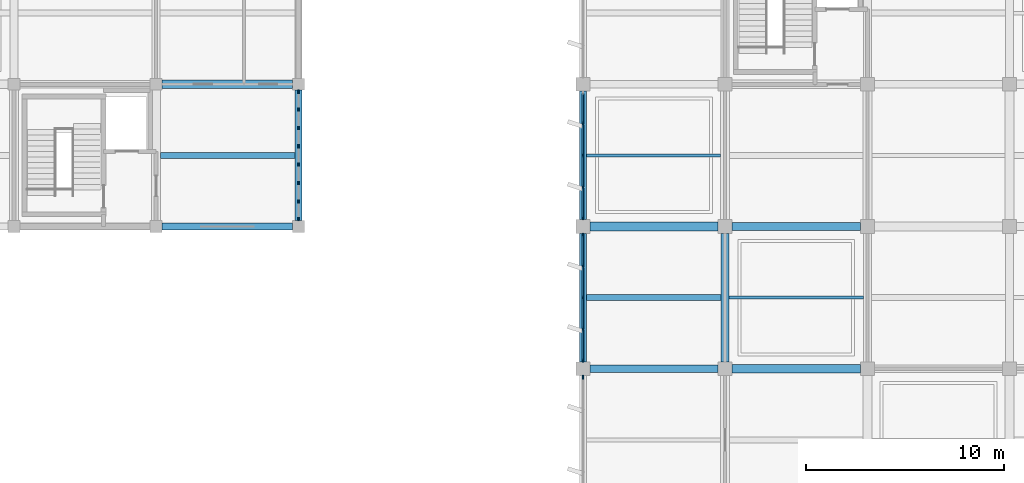
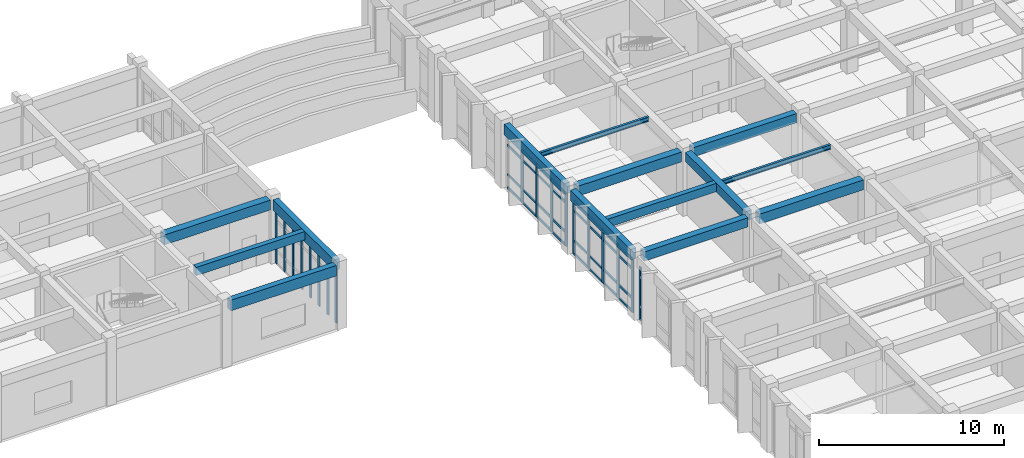
# One storey, part 23 of 81: 51 members, 12 beams, 4 elements without a shape of their own.
"""IFC4 building model written with IfcOpenShell, lengths in metres."""

from ifc_helpers import new_model, si_unit, direction, frame, origin, origin_2d, place, context, subcontext, project, spatial, rectangle, i_section, extrude, material, layer, layer_set, material_profile, profile_set, type_object, element, aggregate, save


model = new_model("IFC4")

# Units and contexts
model_context = context("Model", 3, precision=1e-05, world=origin(), true_north=direction((0.0, 1.0)))
body_context = subcontext(model_context, "Body", "Model", "MODEL_VIEW")
ifc_project = project(units=[si_unit("LENGTHUNIT", "METRE"), si_unit("AREAUNIT", "SQUARE_METRE"), si_unit("VOLUMEUNIT", "CUBIC_METRE"), si_unit("PLANEANGLEUNIT", "RADIAN"), si_unit("MASSUNIT", "GRAM", prefix="KILO")], contexts=[model_context])

# Site, building, storey
site_placement = place(None, origin())
site = spatial("IfcSite", under=ifc_project, at=site_placement, CompositionType="ELEMENT")
building_placement = place(site_placement, origin())
building = spatial("IfcBuilding", under=site, at=building_placement, Name="Kavelor Marine Aquarium", CompositionType="ELEMENT")
storey_placement = place(building_placement, frame((0.0, 0.0, 4.679931640625)))
storey = spatial("IfcBuildingStorey", under=building, at=storey_placement, Name="L01", CompositionType="ELEMENT", Elevation=4.679931640625)

# Beams
ifc_material_1 = material(Name="Concrete C40/50", Category="concrete")
ifc_material_profile_1 = material_profile(ifc_material_1, rectangle(XDim=0.449951171875, YDim=0.64990234375, at=origin_2d()), Name="RC-BM 450x650")
ifc_profile_set_1 = profile_set([ifc_material_profile_1], Name="Concrete C40/50")
beam_type_1 = type_object("IfcBeamType", Name="BM-B3", PredefinedType="BEAM", material=ifc_profile_set_1)
beam_1_placement = place(storey_placement, frame((97.10009765625, 96.39990234375, 3.875), z_axis=(1.0, 0.0, 0.0), x_axis=(0.0, 1.0, 0.0)))
element("IfcBeam", 1, at=beam_1_placement, inside=storey, type_object=beam_type_1, Name="bm:x:L01:L02:13_13", PredefinedType="BEAM", context=body_context, shape_type="SweptSolid", body=[
    extrude(rectangle(XDim=0.449951171875, YDim=0.64990234375, at=origin_2d()), origin(), (0.0, 0.0, 1.0), 6.599853515625),
])
for number, where, z_axis, x_axis, name in (
    (2, (118.75, 89.199951171875, 3.875), (1.0, 0.0, 0.0), (0.0, 1.0, 0.0), "bm:x:L01:L02:16_12"),
    (3, (125.949951171875, 82.0, 3.875), (1.0, 0.0, 0.0), (0.0, 1.0, 0.0), "bm:x:L01:L02:17_11"),
):
    element("IfcBeam", number, at=place(storey_placement, frame(where, z_axis=z_axis, x_axis=x_axis)), inside=storey, type_object=beam_type_1, Name=name, PredefinedType="BEAM", context=body_context, shape_type="SweptSolid", body=[
        extrude(rectangle(XDim=0.449951171875, YDim=0.64990234375, at=origin_2d()), origin(), (0.0, 0.0, 1.0), 6.5),
    ])
ifc_material_2 = material(Name="Concrete C40/50", Category="concrete")
ifc_material_profile_2 = material_profile(ifc_material_2, rectangle(XDim=0.39990234375, YDim=0.60009765625, at=origin_2d()), Name="RC-BM 400x600")
ifc_profile_set_2 = profile_set([ifc_material_profile_2], Name="Concrete C40/50")
beam_type_2 = type_object("IfcBeamType", Name="BM-B4", PredefinedType="BEAM", material=ifc_profile_set_2)
for number, where, z_axis, x_axis, name in (
    (4, (118.75, 82.0, 3.900146484375), (1.0, 0.0, 0.0), (0.0, 1.0, 0.0), "bm:x:L01:L02:16_11"),
    (5, (125.949951171875, 89.199951171875, 3.900146484375), (1.0, 0.0, 0.0), (0.0, 1.0, 0.0), "bm:x:L01:L02:17_12"),
    (6, (125.60009765625, 82.35009765625, 3.900146484375), (0.0, 1.0, 0.0), (-1.0, 0.0, 0.0), "bm:y:L01:L02:17_11"),
):
    element("IfcBeam", number, at=place(storey_placement, frame(where, z_axis=z_axis, x_axis=x_axis)), inside=storey, type_object=beam_type_2, Name=name, PredefinedType="BEAM", context=body_context, shape_type="SweptSolid", body=[
        extrude(rectangle(XDim=0.39990234375, YDim=0.60009765625, at=origin_2d()), origin(), (0.0, 0.0, 1.0), 6.5),
    ])
ifc_material_3 = material(Name="Concrete C40/50", Category="concrete")
ifc_material_profile_3 = material_profile(ifc_material_3, rectangle(XDim=0.300048828125, YDim=0.550048828125, at=origin_2d()), Name="RC-JS 300x550")
ifc_profile_set_3 = profile_set([ifc_material_profile_3], Name="Concrete C40/50")
beam_type_3 = type_object("IfcBeamType", Name="BM-JS2", PredefinedType="JOIST", material=ifc_profile_set_3)
beam_2_placement = place(storey_placement, frame((97.02490234375, 92.800048828125, 3.945068359375), z_axis=(1.0, 0.0, 0.0), x_axis=(0.0, 1.0, 0.0)))
element("IfcBeam", 7, at=beam_2_placement, inside=storey, type_object=beam_type_3, Name="js:L01:L02:13_12", PredefinedType="JOIST", context=body_context, shape_type="SweptSolid", body=[
    extrude(rectangle(XDim=0.300048828125, YDim=0.550048828125, at=origin_2d()), origin(), (0.0, 0.0, 1.0), 6.800048828125),
])
beam_3_placement = place(storey_placement, frame((118.574951171875, 85.60009765625, 3.945068359375), z_axis=(1.0, 0.0, 0.0), x_axis=(0.0, 1.0, 0.0)))
element("IfcBeam", 8, at=beam_3_placement, inside=storey, type_object=beam_type_3, Name="js:L01:L02:16_11", PredefinedType="JOIST", context=body_context, shape_type="SweptSolid", body=[
    extrude(rectangle(XDim=0.300048828125, YDim=0.550048828125, at=origin_2d()), origin(), (0.0, 0.0, 1.0), 6.824951171875),
])
ifc_material_4 = material(Name="Concrete C40/50", Category="concrete")
ifc_material_profile_4 = material_profile(ifc_material_4, rectangle(XDim=0.35009765625, YDim=0.699951171875, at=origin_2d()), Name="RC-SP 350x700")
ifc_profile_set_4 = profile_set([ifc_material_profile_4], Name="Concrete C40/50")
beam_type_4 = type_object("IfcBeamType", Name="BM-SP1", PredefinedType="SPANDREL", material=ifc_profile_set_4)
beam_4_placement = place(storey_placement, frame((97.10009765625, 89.199951171875, 3.8701171875), z_axis=(1.0, 0.0, 0.0), x_axis=(0.0, 1.0, 0.0)))
element("IfcBeam", 9, at=beam_4_placement, inside=storey, type_object=beam_type_4, Name="bm:x:L01:L02:13_12", PredefinedType="SPANDREL", context=body_context, shape_type="SweptSolid", body=[
    extrude(rectangle(XDim=0.35009765625, YDim=0.699951171875, at=origin_2d()), origin(), (0.0, 0.0, 1.0), 6.599853515625),
])
beam_5_placement = place(storey_placement, frame((104.0, 89.5, 3.8701171875), z_axis=(0.0, 1.0, 0.0), x_axis=(-1.0, 0.0, 0.0)))
element("IfcBeam", 10, at=beam_5_placement, inside=storey, type_object=beam_type_4, Name="bm:y:L01:L02:14_12", PredefinedType="SPANDREL", context=body_context, shape_type="SweptSolid", body=[
    extrude(rectangle(XDim=0.35009765625, YDim=0.699951171875, at=origin_2d()), origin(), (0.0, 0.0, 1.0), 6.60009765625),
])
for number, where, z_axis, x_axis, name in (
    (11, (118.39990234375, 82.35009765625, 3.8701171875), (0.0, 1.0, 0.0), (-1.0, 0.0, 0.0), "bm:y:L01:L02:16_11"),
    (12, (118.39990234375, 89.550048828125, 3.85009765625), (0.0, 1.0, 0.0), (-1.0, 0.0, 0.0), "bm:y:L01:L02:16_12"),
):
    element("IfcBeam", number, at=place(storey_placement, frame(where, z_axis=z_axis, x_axis=x_axis)), inside=storey, type_object=beam_type_4, Name=name, PredefinedType="SPANDREL", context=body_context, shape_type="SweptSolid", body=[
        extrude(rectangle(XDim=0.35009765625, YDim=0.699951171875, at=origin_2d()), origin(), (0.0, 0.0, 1.0), 6.5),
    ])

# Curtain wall, members
ifc_material_5 = material(Name="Thermally Broken Aluminium and Low-E Glass", Category="aluminium")
ifc_layer_1 = layer(ifc_material_5, 0.243896484375)
ifc_layer_set_1 = layer_set([ifc_layer_1], Name="CW-SYS13")
curtain_wall_type_1 = type_object("IfcCurtainWallType", Name="CW-SYS13", PredefinedType="USERDEFINED", material=ifc_layer_set_1)
curtain_wall_1_placement = place(storey_placement, origin())
curtain_wall_1 = element("IfcCurtainWall", 13, at=curtain_wall_1_placement, inside=storey, type_object=curtain_wall_type_1, Name="cw:y:L01:16_12", ObjectType="Curtain Wall", PredefinedType="USERDEFINED")
ifc_material_6 = material(Name="Anodised Aluminium Alloy 6063-T6", Category="aluminium")
ifc_material_profile_5 = material_profile(ifc_material_6, rectangle(XDim=0.074951171875, YDim=0.179931640625, at=origin_2d()), Name="CW-MUL 75x180")
ifc_profile_set_5 = profile_set([ifc_material_profile_5], Name="Anodised Aluminium Alloy 6063-T6")
member_type_1 = type_object("IfcMemberType", Name="CWM-1", PredefinedType="MULLION", material=ifc_profile_set_5)
member_1_placement = place(storey_placement, frame((118.39990234375, 94.402587890625, 0.0), z_axis=(0.0, 0.0, 1.0), x_axis=(1.0, 0.0, 0.0)))
member_1 = element("IfcMember", 14, at=member_1_placement, type_object=member_type_1, Name="CW13 mullion 2", PredefinedType="MULLION", context=body_context, shape_type="SweptSolid", body=[
    extrude(rectangle(XDim=0.074951171875, YDim=0.179931640625, at=origin_2d()), origin(), (0.0, 0.0, 1.0), 3.489990234375),
])
member_2_placement = place(storey_placement, frame((118.39990234375, 92.800048828125, 0.0), z_axis=(0.0, 0.0, 1.0), x_axis=(1.0, 0.0, 0.0)))
member_2 = element("IfcMember", 15, at=member_2_placement, type_object=member_type_1, Name="CW13 mullion 3", PredefinedType="MULLION", context=body_context, shape_type="SweptSolid", body=[
    extrude(rectangle(XDim=0.074951171875, YDim=0.179931640625, at=origin_2d()), origin(), (0.0, 0.0, 1.0), 3.489990234375),
])
member_3_placement = place(storey_placement, frame((118.39990234375, 91.197509765625, 0.0), z_axis=(0.0, 0.0, 1.0), x_axis=(1.0, 0.0, 0.0)))
member_3 = element("IfcMember", 16, at=member_3_placement, type_object=member_type_1, Name="CW13 mullion 4", PredefinedType="MULLION", context=body_context, shape_type="SweptSolid", body=[
    extrude(rectangle(XDim=0.074951171875, YDim=0.179931640625, at=origin_2d()), origin(), (0.0, 0.0, 1.0), 3.489990234375),
])
member_4_placement = place(storey_placement, frame((118.39990234375, 89.632568359375, 0.0), z_axis=(0.0, 0.0, 1.0), x_axis=(1.0, 0.0, 0.0)))
member_4 = element("IfcMember", 17, at=member_4_placement, type_object=member_type_1, Name="CW13 mullion 5", PredefinedType="MULLION", context=body_context, shape_type="SweptSolid", body=[
    extrude(rectangle(XDim=0.074951171875, YDim=0.179931640625, at=origin_2d()), origin(), (0.0, 0.0, 1.0), 3.489990234375),
])

ifc_material_7 = material(Name="Thermally Broken Aluminium and Low-E Glass", Category="aluminium")
ifc_layer_2 = layer(ifc_material_7, 0.156005859375)
ifc_layer_set_2 = layer_set([ifc_layer_2], Name="CW-SYS2")
curtain_wall_type_2 = type_object("IfcCurtainWallType", Name="CW-SYS2", PredefinedType="USERDEFINED", material=ifc_layer_set_2)
curtain_wall_2_placement = place(storey_placement, origin())
curtain_wall_2 = element("IfcCurtainWall", 18, at=curtain_wall_2_placement, inside=storey, type_object=curtain_wall_type_2, Name="cw:y:L01:14_12", ObjectType="Curtain Wall", PredefinedType="USERDEFINED")
ifc_material_8 = material(Name="Anodised Aluminium Alloy 6063-T6", Category="aluminium")
ifc_material_profile_6 = material_profile(ifc_material_8, rectangle(XDim=0.080078125, YDim=0.18505859375, at=origin_2d()), Name="CW-MUL 80x185")
ifc_profile_set_6 = profile_set([ifc_material_profile_6], Name="Anodised Aluminium Alloy 6063-T6")
member_type_2 = type_object("IfcMemberType", Name="CWM-2", PredefinedType="MULLION", material=ifc_profile_set_6)
member_5_placement = place(storey_placement, frame((104.0, 89.577392578125, 0.0), z_axis=(0.0, 0.0, 1.0), x_axis=(-1.0, 0.0, 0.0)))
member_5 = element("IfcMember", 19, at=member_5_placement, type_object=member_type_2, Name="CW02 mullion 1", PredefinedType="MULLION", context=body_context, shape_type="SweptSolid", body=[
    extrude(rectangle(XDim=0.080078125, YDim=0.18505859375, at=origin_2d()), origin(), (0.0, 0.0, 1.0), 3.510009765625),
])
member_6_placement = place(storey_placement, frame((104.0, 90.47509765625, 0.0), z_axis=(0.0, 0.0, 1.0), x_axis=(-1.0, 0.0, 0.0)))
member_6 = element("IfcMember", 20, at=member_6_placement, type_object=member_type_2, Name="CW02 mullion 2", PredefinedType="MULLION", context=body_context, shape_type="SweptSolid", body=[
    extrude(rectangle(XDim=0.080078125, YDim=0.18505859375, at=origin_2d()), origin(), (0.0, 0.0, 1.0), 3.510009765625),
])
member_7_placement = place(storey_placement, frame((104.0, 91.405029296875, 0.0), z_axis=(0.0, 0.0, 1.0), x_axis=(-1.0, 0.0, 0.0)))
member_7 = element("IfcMember", 21, at=member_7_placement, type_object=member_type_2, Name="CW02 mullion 3", PredefinedType="MULLION", context=body_context, shape_type="SweptSolid", body=[
    extrude(rectangle(XDim=0.080078125, YDim=0.18505859375, at=origin_2d()), origin(), (0.0, 0.0, 1.0), 3.510009765625),
])
member_8_placement = place(storey_placement, frame((104.0, 92.3349609375, 0.0), z_axis=(0.0, 0.0, 1.0), x_axis=(-1.0, 0.0, 0.0)))
member_8 = element("IfcMember", 22, at=member_8_placement, type_object=member_type_2, Name="CW02 mullion 4", PredefinedType="MULLION", context=body_context, shape_type="SweptSolid", body=[
    extrude(rectangle(XDim=0.080078125, YDim=0.18505859375, at=origin_2d()), origin(), (0.0, 0.0, 1.0), 3.510009765625),
])
member_9_placement = place(storey_placement, frame((104.0, 93.264892578125, 0.0), z_axis=(0.0, 0.0, 1.0), x_axis=(-1.0, 0.0, 0.0)))
member_9 = element("IfcMember", 23, at=member_9_placement, type_object=member_type_2, Name="CW02 mullion 5", PredefinedType="MULLION", context=body_context, shape_type="SweptSolid", body=[
    extrude(rectangle(XDim=0.080078125, YDim=0.18505859375, at=origin_2d()), origin(), (0.0, 0.0, 1.0), 3.510009765625),
])
member_10_placement = place(storey_placement, frame((104.0, 94.195068359375, 0.0), z_axis=(0.0, 0.0, 1.0), x_axis=(-1.0, 0.0, 0.0)))
member_10 = element("IfcMember", 24, at=member_10_placement, type_object=member_type_2, Name="CW02 mullion 6", PredefinedType="MULLION", context=body_context, shape_type="SweptSolid", body=[
    extrude(rectangle(XDim=0.080078125, YDim=0.18505859375, at=origin_2d()), origin(), (0.0, 0.0, 1.0), 3.510009765625),
])
member_11_placement = place(storey_placement, frame((104.0, 95.125, 0.0), z_axis=(0.0, 0.0, 1.0), x_axis=(-1.0, 0.0, 0.0)))
member_11 = element("IfcMember", 25, at=member_11_placement, type_object=member_type_2, Name="CW02 mullion 7", PredefinedType="MULLION", context=body_context, shape_type="SweptSolid", body=[
    extrude(rectangle(XDim=0.080078125, YDim=0.18505859375, at=origin_2d()), origin(), (0.0, 0.0, 1.0), 3.510009765625),
])
member_12_placement = place(storey_placement, frame((104.0, 96.0224609375, 0.0), z_axis=(0.0, 0.0, 1.0), x_axis=(-1.0, 0.0, 0.0)))
member_12 = element("IfcMember", 26, at=member_12_placement, type_object=member_type_2, Name="CW02 mullion 8", PredefinedType="MULLION", context=body_context, shape_type="SweptSolid", body=[
    extrude(rectangle(XDim=0.080078125, YDim=0.18505859375, at=origin_2d()), origin(), (0.0, 0.0, 1.0), 3.510009765625),
])
aggregate(curtain_wall_2, [member_5, member_6, member_7, member_8, member_9, member_10, member_11, member_12])

# Curtain wall, member
ifc_material_9 = material(Name="Thermally Broken Aluminium and Low-E Glass", Category="aluminium")
ifc_layer_3 = layer(ifc_material_9, 0.22802734375)
ifc_layer_set_3 = layer_set([ifc_layer_3], Name="CW-SYS11")
curtain_wall_type_3 = type_object("IfcCurtainWallType", Name="CW-SYS11", PredefinedType="USERDEFINED", material=ifc_layer_set_3)
curtain_wall_3_placement = place(storey_placement, origin())
curtain_wall_3 = element("IfcCurtainWall", 27, at=curtain_wall_3_placement, inside=storey, type_object=curtain_wall_type_3, Name="cw:y:L01:16_10", ObjectType="Curtain Wall", PredefinedType="USERDEFINED")
member_13_placement = place(storey_placement, frame((118.39990234375, 81.572509765625, 0.0), z_axis=(0.0, 0.0, 1.0), x_axis=(1.0, 0.0, 0.0)))
member_13 = element("IfcMember", 28, at=member_13_placement, type_object=member_type_2, Name="CW11 mullion 1", PredefinedType="MULLION", context=body_context, shape_type="SweptSolid", body=[
    extrude(rectangle(XDim=0.080078125, YDim=0.18505859375, at=origin_2d()), origin(), (0.0, 0.0, 1.0), 3.489990234375),
])
aggregate(curtain_wall_3, [member_13])

# Curtain wall, members
ifc_material_10 = material(Name="Thermally Broken Aluminium and Low-E Glass", Category="aluminium")
ifc_layer_4 = layer(ifc_material_10, 0.236083984375)
ifc_layer_set_4 = layer_set([ifc_layer_4], Name="CW-SYS12")
curtain_wall_type_4 = type_object("IfcCurtainWallType", Name="CW-SYS12", PredefinedType="USERDEFINED", material=ifc_layer_set_4)
curtain_wall_4_placement = place(storey_placement, origin())
curtain_wall_4 = element("IfcCurtainWall", 29, at=curtain_wall_4_placement, inside=storey, type_object=curtain_wall_type_4, Name="cw:y:L01:16_11", ObjectType="Curtain Wall", PredefinedType="USERDEFINED")
ifc_material_11 = material(Name="Anodised Aluminium Alloy 6063-T6", Category="aluminium")
ifc_material_profile_7 = material_profile(ifc_material_11, rectangle(XDim=0.0849609375, YDim=0.18994140625, at=origin_2d()), Name="CW-MUL 85x190")
ifc_profile_set_7 = profile_set([ifc_material_profile_7], Name="Anodised Aluminium Alloy 6063-T6")
member_type_3 = type_object("IfcMemberType", Name="CWM-3", PredefinedType="MULLION", material=ifc_profile_set_7)
member_14_placement = place(storey_placement, frame((118.39990234375, 88.77490234375, 0.0), z_axis=(0.0, 0.0, 1.0), x_axis=(1.0, 0.0, 0.0)))
member_14 = element("IfcMember", 30, at=member_14_placement, type_object=member_type_3, Name="CW12 mullion 1", PredefinedType="MULLION", context=body_context, shape_type="SweptSolid", body=[
    extrude(rectangle(XDim=0.0849609375, YDim=0.18994140625, at=origin_2d()), origin(), (0.0, 0.0, 1.0), 3.510009765625),
])
member_15_placement = place(storey_placement, frame((118.39990234375, 87.202392578125, 0.0), z_axis=(0.0, 0.0, 1.0), x_axis=(1.0, 0.0, 0.0)))
member_15 = element("IfcMember", 31, at=member_15_placement, type_object=member_type_3, Name="CW12 mullion 2", PredefinedType="MULLION", context=body_context, shape_type="SweptSolid", body=[
    extrude(rectangle(XDim=0.0849609375, YDim=0.18994140625, at=origin_2d()), origin(), (0.0, 0.0, 1.0), 3.510009765625),
])
member_16_placement = place(storey_placement, frame((118.39990234375, 85.60009765625, 0.0), z_axis=(0.0, 0.0, 1.0), x_axis=(1.0, 0.0, 0.0)))
member_16 = element("IfcMember", 32, at=member_16_placement, type_object=member_type_3, Name="CW12 mullion 3", PredefinedType="MULLION", context=body_context, shape_type="SweptSolid", body=[
    extrude(rectangle(XDim=0.0849609375, YDim=0.18994140625, at=origin_2d()), origin(), (0.0, 0.0, 1.0), 3.510009765625),
])
member_17_placement = place(storey_placement, frame((118.39990234375, 83.99755859375, 0.0), z_axis=(0.0, 0.0, 1.0), x_axis=(1.0, 0.0, 0.0)))
member_17 = element("IfcMember", 33, at=member_17_placement, type_object=member_type_3, Name="CW12 mullion 4", PredefinedType="MULLION", context=body_context, shape_type="SweptSolid", body=[
    extrude(rectangle(XDim=0.0849609375, YDim=0.18994140625, at=origin_2d()), origin(), (0.0, 0.0, 1.0), 3.510009765625),
])
member_18_placement = place(storey_placement, frame((118.39990234375, 82.425048828125, 0.0), z_axis=(0.0, 0.0, 1.0), x_axis=(1.0, 0.0, 0.0)))
member_18 = element("IfcMember", 34, at=member_18_placement, type_object=member_type_3, Name="CW12 mullion 5", PredefinedType="MULLION", context=body_context, shape_type="SweptSolid", body=[
    extrude(rectangle(XDim=0.0849609375, YDim=0.18994140625, at=origin_2d()), origin(), (0.0, 0.0, 1.0), 3.510009765625),
])
ifc_material_12 = material(Name="Anodised Aluminium Alloy 6063-T6", Category="aluminium")
ifc_material_profile_8 = material_profile(ifc_material_12, rectangle(XDim=0.074951171875, YDim=0.14990234375, at=origin_2d()), Name="CW-TRN 75x150")
ifc_profile_set_8 = profile_set([ifc_material_profile_8], Name="Anodised Aluminium Alloy 6063-T6")
member_type_4 = type_object("IfcMemberType", Name="CWT-1", PredefinedType="USERDEFINED", material=ifc_profile_set_8)
member_19_placement = place(storey_placement, frame((118.39990234375, 88.7451171875, 0.03759765625), z_axis=(0.0, -1.0, 0.0), x_axis=(1.0, 0.0, 0.0)))
member_19 = element("IfcMember", 35, at=member_19_placement, type_object=member_type_4, Name="CW12 transom 1.1", ObjectType="TRANSOM", PredefinedType="USERDEFINED", context=body_context, shape_type="SweptSolid", body=[
    extrude(rectangle(XDim=0.074951171875, YDim=0.14990234375, at=origin_2d()), origin(), (0.0, 0.0, 1.0), 1.5126953125),
])
member_20_placement = place(storey_placement, frame((118.39990234375, 88.7451171875, 0.900146484375), z_axis=(0.0, -1.0, 0.0), x_axis=(1.0, 0.0, 0.0)))
member_20 = element("IfcMember", 36, at=member_20_placement, type_object=member_type_4, Name="CW12 transom 1.2", ObjectType="TRANSOM", PredefinedType="USERDEFINED", context=body_context, shape_type="SweptSolid", body=[
    extrude(rectangle(XDim=0.074951171875, YDim=0.14990234375, at=origin_2d()), origin(), (0.0, 0.0, 1.0), 1.5126953125),
])
member_21_placement = place(storey_placement, frame((118.39990234375, 88.7451171875, 2.860107421875), z_axis=(0.0, -1.0, 0.0), x_axis=(1.0, 0.0, 0.0)))
member_21 = element("IfcMember", 37, at=member_21_placement, type_object=member_type_4, Name="CW12 transom 1.3", ObjectType="TRANSOM", PredefinedType="USERDEFINED", context=body_context, shape_type="SweptSolid", body=[
    extrude(rectangle(XDim=0.074951171875, YDim=0.14990234375, at=origin_2d()), origin(), (0.0, 0.0, 1.0), 1.5126953125),
])
member_22_placement = place(storey_placement, frame((118.39990234375, 88.7451171875, 3.47265625), z_axis=(0.0, -1.0, 0.0), x_axis=(1.0, 0.0, 0.0)))
member_22 = element("IfcMember", 38, at=member_22_placement, type_object=member_type_4, Name="CW12 transom 1.4", ObjectType="TRANSOM", PredefinedType="USERDEFINED", context=body_context, shape_type="SweptSolid", body=[
    extrude(rectangle(XDim=0.074951171875, YDim=0.14990234375, at=origin_2d()), origin(), (0.0, 0.0, 1.0), 1.5126953125),
])
member_23_placement = place(storey_placement, frame((118.39990234375, 87.172607421875, 0.03759765625), z_axis=(0.0, -1.0, 0.0), x_axis=(1.0, 0.0, 0.0)))
member_23 = element("IfcMember", 39, at=member_23_placement, type_object=member_type_4, Name="CW12 transom 2.1", ObjectType="TRANSOM", PredefinedType="USERDEFINED", context=body_context, shape_type="SweptSolid", body=[
    extrude(rectangle(XDim=0.074951171875, YDim=0.14990234375, at=origin_2d()), origin(), (0.0, 0.0, 1.0), 1.542724609375),
])
member_24_placement = place(storey_placement, frame((118.39990234375, 87.172607421875, 0.900146484375), z_axis=(0.0, -1.0, 0.0), x_axis=(1.0, 0.0, 0.0)))
member_24 = element("IfcMember", 40, at=member_24_placement, type_object=member_type_4, Name="CW12 transom 2.2", ObjectType="TRANSOM", PredefinedType="USERDEFINED", context=body_context, shape_type="SweptSolid", body=[
    extrude(rectangle(XDim=0.074951171875, YDim=0.14990234375, at=origin_2d()), origin(), (0.0, 0.0, 1.0), 1.542724609375),
])
member_25_placement = place(storey_placement, frame((118.39990234375, 87.172607421875, 2.860107421875), z_axis=(0.0, -1.0, 0.0), x_axis=(1.0, 0.0, 0.0)))
member_25 = element("IfcMember", 41, at=member_25_placement, type_object=member_type_4, Name="CW12 transom 2.3", ObjectType="TRANSOM", PredefinedType="USERDEFINED", context=body_context, shape_type="SweptSolid", body=[
    extrude(rectangle(XDim=0.074951171875, YDim=0.14990234375, at=origin_2d()), origin(), (0.0, 0.0, 1.0), 1.542724609375),
])
member_26_placement = place(storey_placement, frame((118.39990234375, 87.172607421875, 3.47265625), z_axis=(0.0, -1.0, 0.0), x_axis=(1.0, 0.0, 0.0)))
member_26 = element("IfcMember", 42, at=member_26_placement, type_object=member_type_4, Name="CW12 transom 2.4", ObjectType="TRANSOM", PredefinedType="USERDEFINED", context=body_context, shape_type="SweptSolid", body=[
    extrude(rectangle(XDim=0.074951171875, YDim=0.14990234375, at=origin_2d()), origin(), (0.0, 0.0, 1.0), 1.542724609375),
])
member_27_placement = place(storey_placement, frame((118.39990234375, 85.570068359375, 0.03759765625), z_axis=(0.0, -1.0, 0.0), x_axis=(1.0, 0.0, 0.0)))
member_27 = element("IfcMember", 43, at=member_27_placement, type_object=member_type_4, Name="CW12 transom 3.1", ObjectType="TRANSOM", PredefinedType="USERDEFINED", context=body_context, shape_type="SweptSolid", body=[
    extrude(rectangle(XDim=0.074951171875, YDim=0.14990234375, at=origin_2d()), origin(), (0.0, 0.0, 1.0), 1.54248046875),
])
member_28_placement = place(storey_placement, frame((118.39990234375, 85.570068359375, 0.900146484375), z_axis=(0.0, -1.0, 0.0), x_axis=(1.0, 0.0, 0.0)))
member_28 = element("IfcMember", 44, at=member_28_placement, type_object=member_type_4, Name="CW12 transom 3.2", ObjectType="TRANSOM", PredefinedType="USERDEFINED", context=body_context, shape_type="SweptSolid", body=[
    extrude(rectangle(XDim=0.074951171875, YDim=0.14990234375, at=origin_2d()), origin(), (0.0, 0.0, 1.0), 1.54248046875),
])
member_29_placement = place(storey_placement, frame((118.39990234375, 85.570068359375, 2.860107421875), z_axis=(0.0, -1.0, 0.0), x_axis=(1.0, 0.0, 0.0)))
member_29 = element("IfcMember", 45, at=member_29_placement, type_object=member_type_4, Name="CW12 transom 3.3", ObjectType="TRANSOM", PredefinedType="USERDEFINED", context=body_context, shape_type="SweptSolid", body=[
    extrude(rectangle(XDim=0.074951171875, YDim=0.14990234375, at=origin_2d()), origin(), (0.0, 0.0, 1.0), 1.54248046875),
])
member_30_placement = place(storey_placement, frame((118.39990234375, 85.570068359375, 3.47265625), z_axis=(0.0, -1.0, 0.0), x_axis=(1.0, 0.0, 0.0)))
member_30 = element("IfcMember", 46, at=member_30_placement, type_object=member_type_4, Name="CW12 transom 3.4", ObjectType="TRANSOM", PredefinedType="USERDEFINED", context=body_context, shape_type="SweptSolid", body=[
    extrude(rectangle(XDim=0.074951171875, YDim=0.14990234375, at=origin_2d()), origin(), (0.0, 0.0, 1.0), 1.54248046875),
])
member_31_placement = place(storey_placement, frame((118.39990234375, 83.967529296875, 0.03759765625), z_axis=(0.0, -1.0, 0.0), x_axis=(1.0, 0.0, 0.0)))
member_31 = element("IfcMember", 47, at=member_31_placement, type_object=member_type_4, Name="CW12 transom 4.1", ObjectType="TRANSOM", PredefinedType="USERDEFINED", context=body_context, shape_type="SweptSolid", body=[
    extrude(rectangle(XDim=0.074951171875, YDim=0.14990234375, at=origin_2d()), origin(), (0.0, 0.0, 1.0), 1.512451171875),
])
member_32_placement = place(storey_placement, frame((118.39990234375, 83.967529296875, 0.900146484375), z_axis=(0.0, -1.0, 0.0), x_axis=(1.0, 0.0, 0.0)))
member_32 = element("IfcMember", 48, at=member_32_placement, type_object=member_type_4, Name="CW12 transom 4.2", ObjectType="TRANSOM", PredefinedType="USERDEFINED", context=body_context, shape_type="SweptSolid", body=[
    extrude(rectangle(XDim=0.074951171875, YDim=0.14990234375, at=origin_2d()), origin(), (0.0, 0.0, 1.0), 1.512451171875),
])
member_33_placement = place(storey_placement, frame((118.39990234375, 83.967529296875, 2.860107421875), z_axis=(0.0, -1.0, 0.0), x_axis=(1.0, 0.0, 0.0)))
member_33 = element("IfcMember", 49, at=member_33_placement, type_object=member_type_4, Name="CW12 transom 4.3", ObjectType="TRANSOM", PredefinedType="USERDEFINED", context=body_context, shape_type="SweptSolid", body=[
    extrude(rectangle(XDim=0.074951171875, YDim=0.14990234375, at=origin_2d()), origin(), (0.0, 0.0, 1.0), 1.512451171875),
])
member_34_placement = place(storey_placement, frame((118.39990234375, 83.967529296875, 3.47265625), z_axis=(0.0, -1.0, 0.0), x_axis=(1.0, 0.0, 0.0)))
member_34 = element("IfcMember", 50, at=member_34_placement, type_object=member_type_4, Name="CW12 transom 4.4", ObjectType="TRANSOM", PredefinedType="USERDEFINED", context=body_context, shape_type="SweptSolid", body=[
    extrude(rectangle(XDim=0.074951171875, YDim=0.14990234375, at=origin_2d()), origin(), (0.0, 0.0, 1.0), 1.512451171875),
])
aggregate(curtain_wall_4, [member_14, member_15, member_16, member_17, member_18, member_19, member_20, member_21, member_22, member_23, member_24, member_25, member_26, member_27, member_28, member_29, member_30, member_31, member_32, member_33, member_34])

# Member
member_35_placement = place(storey_placement, frame((118.39990234375, 95.929931640625, 0.03759765625), z_axis=(0.0, -1.0, 0.0), x_axis=(1.0, 0.0, 0.0)))
member_35 = element("IfcMember", 51, at=member_35_placement, type_object=member_type_4, Name="CW13 transom 1.1", ObjectType="TRANSOM", PredefinedType="USERDEFINED", context=body_context, shape_type="SweptSolid", body=[
    extrude(rectangle(XDim=0.074951171875, YDim=0.14990234375, at=origin_2d()), origin(), (0.0, 0.0, 1.0), 1.489990234375),
])

member_36_placement = place(storey_placement, frame((118.39990234375, 95.929931640625, 0.900146484375), z_axis=(0.0, -1.0, 0.0), x_axis=(1.0, 0.0, 0.0)))
member_36 = element("IfcMember", 52, at=member_36_placement, type_object=member_type_4, Name="CW13 transom 1.2", ObjectType="TRANSOM", PredefinedType="USERDEFINED", context=body_context, shape_type="SweptSolid", body=[
    extrude(rectangle(XDim=0.074951171875, YDim=0.14990234375, at=origin_2d()), origin(), (0.0, 0.0, 1.0), 1.489990234375),
])

member_37_placement = place(storey_placement, frame((118.39990234375, 95.929931640625, 2.840087890625), z_axis=(0.0, -1.0, 0.0), x_axis=(1.0, 0.0, 0.0)))
member_37 = element("IfcMember", 53, at=member_37_placement, type_object=member_type_4, Name="CW13 transom 1.3", ObjectType="TRANSOM", PredefinedType="USERDEFINED", context=body_context, shape_type="SweptSolid", body=[
    extrude(rectangle(XDim=0.074951171875, YDim=0.14990234375, at=origin_2d()), origin(), (0.0, 0.0, 1.0), 1.489990234375),
])

member_38_placement = place(storey_placement, frame((118.39990234375, 94.364990234375, 0.03759765625), z_axis=(0.0, -1.0, 0.0), x_axis=(1.0, 0.0, 0.0)))
member_38 = element("IfcMember", 54, at=member_38_placement, type_object=member_type_4, Name="CW13 transom 2.1", ObjectType="TRANSOM", PredefinedType="USERDEFINED", context=body_context, shape_type="SweptSolid", body=[
    extrude(rectangle(XDim=0.074951171875, YDim=0.14990234375, at=origin_2d()), origin(), (0.0, 0.0, 1.0), 1.527587890625),
])

member_39_placement = place(storey_placement, frame((118.39990234375, 94.364990234375, 0.900146484375), z_axis=(0.0, -1.0, 0.0), x_axis=(1.0, 0.0, 0.0)))
member_39 = element("IfcMember", 55, at=member_39_placement, type_object=member_type_4, Name="CW13 transom 2.2", ObjectType="TRANSOM", PredefinedType="USERDEFINED", context=body_context, shape_type="SweptSolid", body=[
    extrude(rectangle(XDim=0.074951171875, YDim=0.14990234375, at=origin_2d()), origin(), (0.0, 0.0, 1.0), 1.527587890625),
])

member_40_placement = place(storey_placement, frame((118.39990234375, 94.364990234375, 2.840087890625), z_axis=(0.0, -1.0, 0.0), x_axis=(1.0, 0.0, 0.0)))
member_40 = element("IfcMember", 56, at=member_40_placement, type_object=member_type_4, Name="CW13 transom 2.3", ObjectType="TRANSOM", PredefinedType="USERDEFINED", context=body_context, shape_type="SweptSolid", body=[
    extrude(rectangle(XDim=0.074951171875, YDim=0.14990234375, at=origin_2d()), origin(), (0.0, 0.0, 1.0), 1.527587890625),
])

member_41_placement = place(storey_placement, frame((118.39990234375, 94.364990234375, 3.45263671875), z_axis=(0.0, -1.0, 0.0), x_axis=(1.0, 0.0, 0.0)))
member_41 = element("IfcMember", 57, at=member_41_placement, type_object=member_type_4, Name="CW13 transom 2.4", ObjectType="TRANSOM", PredefinedType="USERDEFINED", context=body_context, shape_type="SweptSolid", body=[
    extrude(rectangle(XDim=0.074951171875, YDim=0.14990234375, at=origin_2d()), origin(), (0.0, 0.0, 1.0), 1.527587890625),
])

member_42_placement = place(storey_placement, frame((118.39990234375, 92.762451171875, 0.03759765625), z_axis=(0.0, -1.0, 0.0), x_axis=(1.0, 0.0, 0.0)))
member_42 = element("IfcMember", 58, at=member_42_placement, type_object=member_type_4, Name="CW13 transom 3.1", ObjectType="TRANSOM", PredefinedType="USERDEFINED", context=body_context, shape_type="SweptSolid", body=[
    extrude(rectangle(XDim=0.074951171875, YDim=0.14990234375, at=origin_2d()), origin(), (0.0, 0.0, 1.0), 1.52734375),
])

member_43_placement = place(storey_placement, frame((118.39990234375, 92.762451171875, 0.900146484375), z_axis=(0.0, -1.0, 0.0), x_axis=(1.0, 0.0, 0.0)))
member_43 = element("IfcMember", 59, at=member_43_placement, type_object=member_type_4, Name="CW13 transom 3.2", ObjectType="TRANSOM", PredefinedType="USERDEFINED", context=body_context, shape_type="SweptSolid", body=[
    extrude(rectangle(XDim=0.074951171875, YDim=0.14990234375, at=origin_2d()), origin(), (0.0, 0.0, 1.0), 1.52734375),
])

member_44_placement = place(storey_placement, frame((118.39990234375, 92.762451171875, 2.840087890625), z_axis=(0.0, -1.0, 0.0), x_axis=(1.0, 0.0, 0.0)))
member_44 = element("IfcMember", 60, at=member_44_placement, type_object=member_type_4, Name="CW13 transom 3.3", ObjectType="TRANSOM", PredefinedType="USERDEFINED", context=body_context, shape_type="SweptSolid", body=[
    extrude(rectangle(XDim=0.074951171875, YDim=0.14990234375, at=origin_2d()), origin(), (0.0, 0.0, 1.0), 1.52734375),
])

member_45_placement = place(storey_placement, frame((118.39990234375, 92.762451171875, 3.45263671875), z_axis=(0.0, -1.0, 0.0), x_axis=(1.0, 0.0, 0.0)))
member_45 = element("IfcMember", 61, at=member_45_placement, type_object=member_type_4, Name="CW13 transom 3.4", ObjectType="TRANSOM", PredefinedType="USERDEFINED", context=body_context, shape_type="SweptSolid", body=[
    extrude(rectangle(XDim=0.074951171875, YDim=0.14990234375, at=origin_2d()), origin(), (0.0, 0.0, 1.0), 1.52734375),
])

member_46_placement = place(storey_placement, frame((118.39990234375, 91.159912109375, 0.03759765625), z_axis=(0.0, -1.0, 0.0), x_axis=(1.0, 0.0, 0.0)))
member_46 = element("IfcMember", 62, at=member_46_placement, type_object=member_type_4, Name="CW13 transom 4.1", ObjectType="TRANSOM", PredefinedType="USERDEFINED", context=body_context, shape_type="SweptSolid", body=[
    extrude(rectangle(XDim=0.074951171875, YDim=0.14990234375, at=origin_2d()), origin(), (0.0, 0.0, 1.0), 1.489990234375),
])

member_47_placement = place(storey_placement, frame((118.39990234375, 91.159912109375, 0.900146484375), z_axis=(0.0, -1.0, 0.0), x_axis=(1.0, 0.0, 0.0)))
member_47 = element("IfcMember", 63, at=member_47_placement, type_object=member_type_4, Name="CW13 transom 4.2", ObjectType="TRANSOM", PredefinedType="USERDEFINED", context=body_context, shape_type="SweptSolid", body=[
    extrude(rectangle(XDim=0.074951171875, YDim=0.14990234375, at=origin_2d()), origin(), (0.0, 0.0, 1.0), 1.489990234375),
])

member_48_placement = place(storey_placement, frame((118.39990234375, 91.159912109375, 2.840087890625), z_axis=(0.0, -1.0, 0.0), x_axis=(1.0, 0.0, 0.0)))
member_48 = element("IfcMember", 64, at=member_48_placement, type_object=member_type_4, Name="CW13 transom 4.3", ObjectType="TRANSOM", PredefinedType="USERDEFINED", context=body_context, shape_type="SweptSolid", body=[
    extrude(rectangle(XDim=0.074951171875, YDim=0.14990234375, at=origin_2d()), origin(), (0.0, 0.0, 1.0), 1.489990234375),
])

member_49_placement = place(storey_placement, frame((118.39990234375, 91.159912109375, 3.45263671875), z_axis=(0.0, -1.0, 0.0), x_axis=(1.0, 0.0, 0.0)))
member_49 = element("IfcMember", 65, at=member_49_placement, type_object=member_type_4, Name="CW13 transom 4.4", ObjectType="TRANSOM", PredefinedType="USERDEFINED", context=body_context, shape_type="SweptSolid", body=[
    extrude(rectangle(XDim=0.074951171875, YDim=0.14990234375, at=origin_2d()), origin(), (0.0, 0.0, 1.0), 1.489990234375),
])

aggregate(curtain_wall_1, [member_1, member_2, member_3, member_4, member_35, member_36, member_37, member_38, member_39, member_40, member_41, member_42, member_43, member_44, member_45, member_46, member_47, member_48, member_49])

# Members
ifc_material_13 = material(Name="Steel S355", Category="steel")
ifc_material_profile_9 = material_profile(ifc_material_13, i_section(OverallWidth=0.14990234375, OverallDepth=0.300048828125, WebThickness=0.007080078125, FlangeThickness=0.0107421875, FilletRadius=0.014892578125, at=origin_2d()), Name="IPE 300")
ifc_profile_set_9 = profile_set([ifc_material_profile_9], Name="Steel S355")
member_type_5 = type_object("IfcMemberType", Name="PR-SJ4", PredefinedType="PURLIN", material=ifc_profile_set_9)
for number, where, z_axis, x_axis, name in (
    (66, (118.574951171875, 92.800048828125, 4.050048828125), (1.0, 0.0, 0.0), (0.0, 1.0, 0.0), "js:L01:L02:16_12"),
    (67, (125.800048828125, 85.60009765625, 4.050048828125), (1.0, 0.0, 0.0), (0.0, 1.0, 0.0), "js:L01:L02:17_11"),
):
    element("IfcMember", number, at=place(storey_placement, frame(where, z_axis=z_axis, x_axis=x_axis)), inside=storey, type_object=member_type_5, Name=name, PredefinedType="PURLIN", context=body_context, shape_type="SweptSolid", body=[
        extrude(i_section(OverallWidth=0.14990234375, OverallDepth=0.300048828125, WebThickness=0.007080078125, FlangeThickness=0.0107421875, FilletRadius=0.014892578125, at=origin_2d()), origin(), (0.0, 0.0, 1.0), 6.800048828125),
    ])

save(model, "model.ifc")
